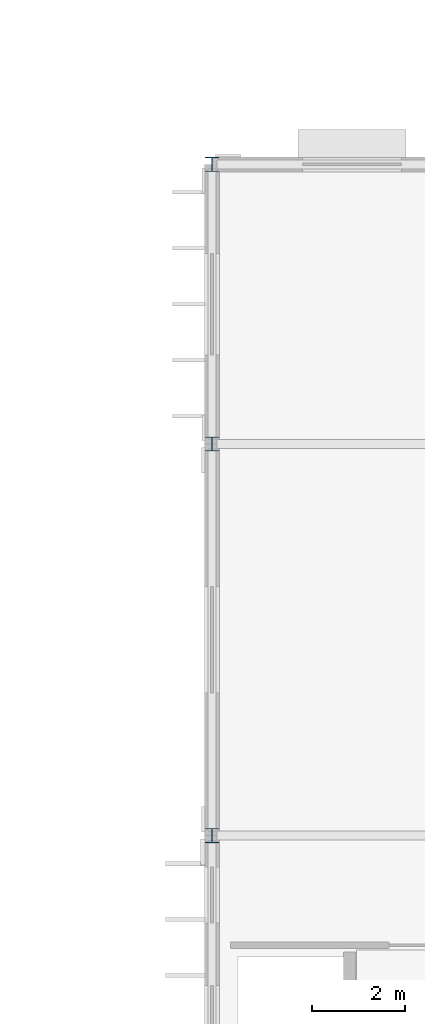
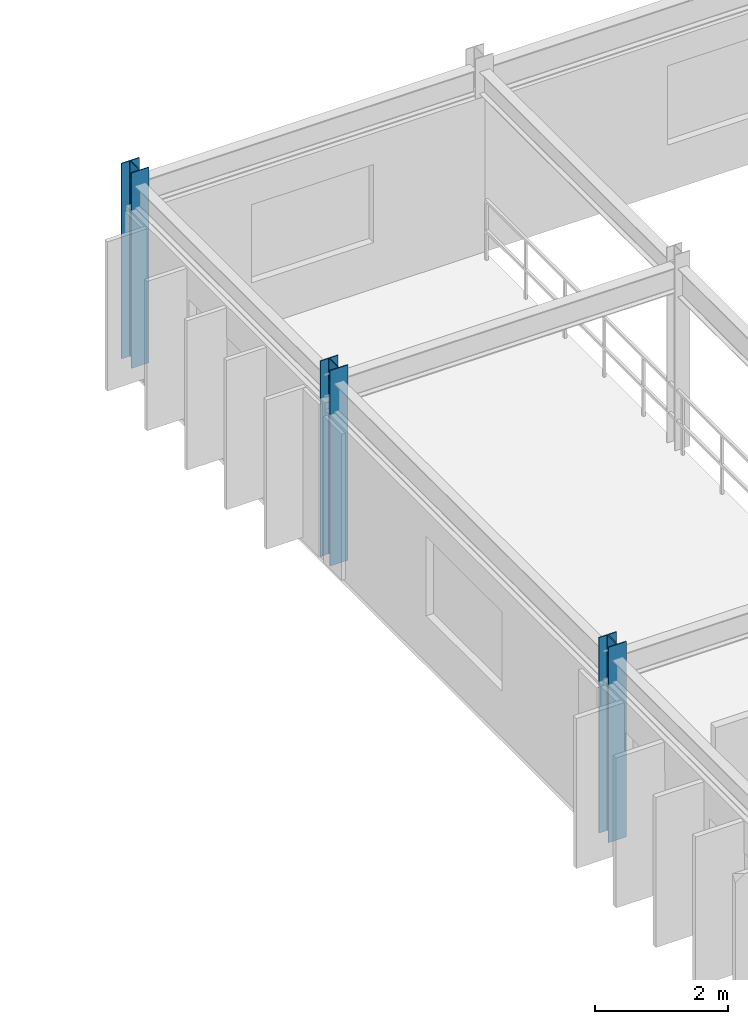
# One storey, part 7 of 88: 3 columns.
"""IFC4 building model written with IfcOpenShell, lengths in metres."""

from ifc_helpers import new_model, si_unit, direction, frame, origin, origin_2d, place, context, subcontext, project, spatial, i_section, extrude, material, material_profile, profile_set, type_object, element, save


model = new_model("IFC4")

# Units and contexts
model_context = context("Model", 3, precision=1e-05, world=origin(), true_north=direction((0.0, 1.0)))
body_context = subcontext(model_context, "Body", "Model", "MODEL_VIEW")
ifc_project = project(units=[si_unit("LENGTHUNIT", "METRE"), si_unit("AREAUNIT", "SQUARE_METRE"), si_unit("VOLUMEUNIT", "CUBIC_METRE"), si_unit("PLANEANGLEUNIT", "RADIAN"), si_unit("MASSUNIT", "GRAM", prefix="KILO"), si_unit("THERMODYNAMICTEMPERATUREUNIT", "KELVIN")], contexts=[model_context])

# Site, building, storey
site_placement = place(None, origin())
site = spatial("IfcSite", under=ifc_project, at=site_placement, CompositionType="ELEMENT")
building_placement = place(site_placement, origin())
building = spatial("IfcBuilding", under=site, at=building_placement, Name="Thalorik Housing Commons", CompositionType="ELEMENT")
storey_placement = place(building_placement, frame((0.0, 0.0, 4.5)))
storey = spatial("IfcBuildingStorey", under=building, at=storey_placement, Name="L01", CompositionType="ELEMENT", Elevation=4.5)

# Columns
ifc_material = material(Name="Steel S355", Category="steel")
ifc_material_profile = material_profile(ifc_material, i_section(OverallWidth=0.31005859375, OverallDepth=0.30810546875, WebThickness=0.015380859375, FlangeThickness=0.015380859375, FilletRadius=0.011962890625, at=origin_2d()), Name="HP310x110", Category="steel")
ifc_profile_set = profile_set([ifc_material_profile], Name="Steel S355")
column_type = type_object("IfcColumnType", Name="STR-COL-HP310", PredefinedType="COLUMN", material=ifc_profile_set)
for number, where, z_axis, x_axis, name in (
    (1, (66.0, 72.0, 0.0), (0.0, 0.0, 1.0), (1.0, 0.0, 0.0), "L01 Column SC-310"),
    (2, (66.0, 80.39990234375, 0.0), (0.0, 0.0, 1.0), (1.0, 0.0, 0.0), "L01 Column SC-310"),
    (3, (66.0, 86.39990234375, 0.0), (0.0, 0.0, 1.0), (1.0, 0.0, 0.0), "L01 Column SC-310"),
):
    element("IfcColumn", number, at=place(storey_placement, frame(where, z_axis=z_axis, x_axis=x_axis)), inside=storey, type_object=column_type, Name=name, PredefinedType="COLUMN", context=body_context, shape_type="SweptSolid", body=[
        extrude(i_section(OverallWidth=0.31005859375, OverallDepth=0.30810546875, WebThickness=0.015380859375, FlangeThickness=0.015380859375, FilletRadius=0.011962890625, at=origin_2d()), origin(), (0.0, 0.0, 1.0), 3.60009765625),
    ])

save(model, "model.ifc")
